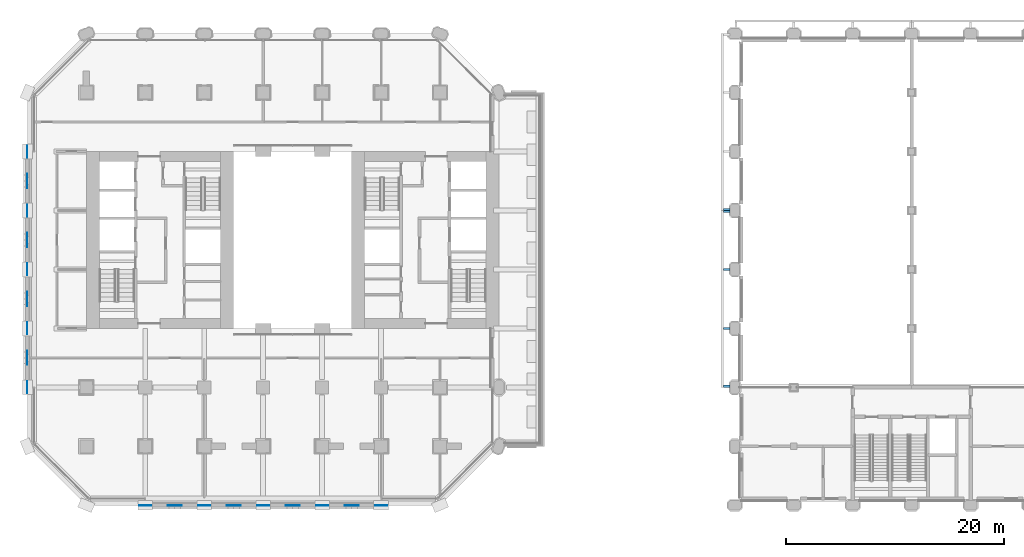
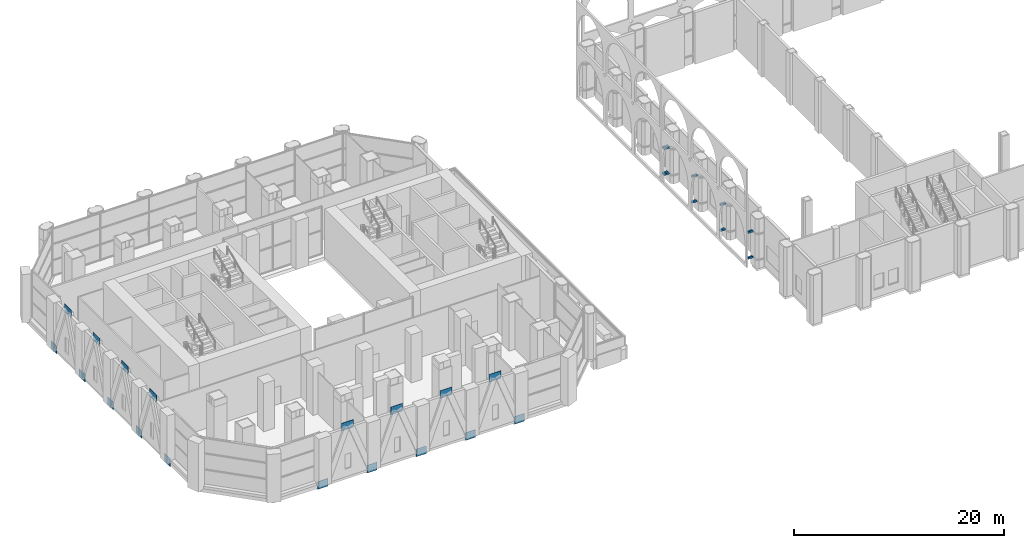
# One storey, part 19 of 34: 28 discrete accessories.
"""IFC4 building model written with IfcOpenShell, lengths in metres."""

from ifc_helpers import new_model, si_unit, direction, frame, origin, origin_2d, place, context, subcontext, project, spatial, rectangle, extrude, material, layer, layer_set, type_object, element, save


model = new_model("IFC4")

# Units and contexts
model_context = context("Model", 3, precision=1e-05, world=origin(), true_north=direction((0.0, 1.0)))
body_context = subcontext(model_context, "Body", "Model", "MODEL_VIEW")
ifc_project = project(units=[si_unit("LENGTHUNIT", "METRE"), si_unit("AREAUNIT", "SQUARE_METRE"), si_unit("VOLUMEUNIT", "CUBIC_METRE"), si_unit("PLANEANGLEUNIT", "RADIAN"), si_unit("MASSUNIT", "GRAM", prefix="KILO")], contexts=[model_context])

# Site, building, storey
site_placement = place(None, origin())
site = spatial("IfcSite", under=ifc_project, at=site_placement, CompositionType="ELEMENT")
building_placement = place(site_placement, origin())
building = spatial("IfcBuilding", under=site, at=building_placement, Name="Tabaq Tower and Sports Hall", CompositionType="ELEMENT")
storey_placement = place(building_placement, frame((0.0, 0.0, 8.39990234375)))
storey = spatial("IfcBuildingStorey", under=building, at=storey_placement, Name="L01", CompositionType="ELEMENT", Elevation=8.39990234375)

# Discrete accessories
ifc_material_1 = material(Name="Steel S355", Category="steel")
ifc_layer_1 = layer(ifc_material_1, 0.030029296875)
ifc_layer_set_1 = layer_set([ifc_layer_1], Name="TRANSFER BAND NODE PLATE 1100x900x30 S355")
discrete_accessory_type_1 = type_object("IfcDiscreteAccessoryType", Name="TRANSFER BAND NODE PLATE 1100x900x30 S355", PredefinedType="ANCHORPLATE", material=ifc_layer_set_1)
for number, where, z_axis, x_axis, name in (
    (1, (10.800048828125, -0.014892578125, -0.499755859375), (0.0, 0.0, 1.0), (1.0, 0.0, 0.0), "Transfer band node plate L01 South"),
    (2, (16.199951171875, -0.014892578125, -0.499755859375), (0.0, 0.0, 1.0), (1.0, 0.0, 0.0), "Transfer band node plate L01 South"),
    (3, (21.60009765625, -0.014892578125, -0.499755859375), (0.0, 0.0, 1.0), (1.0, 0.0, 0.0), "Transfer band node plate L01 South"),
    (4, (27.0, -0.014892578125, -0.499755859375), (0.0, 0.0, 1.0), (1.0, 0.0, 0.0), "Transfer band node plate L01 South"),
    (5, (32.39990234375, -0.014892578125, -0.499755859375), (0.0, 0.0, 1.0), (1.0, 0.0, 0.0), "Transfer band node plate L01 South"),
    (6, (-0.014892578125, 10.800048828125, -0.499755859375), (0.0, 0.0, 1.0), (0.0, -1.0, 0.0), "Transfer band node plate L01 West"),
    (7, (-0.014892578125, 16.199951171875, -0.499755859375), (0.0, 0.0, 1.0), (0.0, -1.0, 0.0), "Transfer band node plate L01 West"),
    (8, (-0.014892578125, 21.60009765625, -0.499755859375), (0.0, 0.0, 1.0), (0.0, -1.0, 0.0), "Transfer band node plate L01 West"),
    (9, (-0.014892578125, 27.0, -0.499755859375), (0.0, 0.0, 1.0), (0.0, -1.0, 0.0), "Transfer band node plate L01 West"),
    (10, (-0.014892578125, 32.39990234375, -0.499755859375), (0.0, 0.0, 1.0), (0.0, -1.0, 0.0), "Transfer band node plate L01 West"),
):
    element("IfcDiscreteAccessory", number, at=place(storey_placement, frame(where, z_axis=z_axis, x_axis=x_axis)), inside=storey, type_object=discrete_accessory_type_1, Name=name, PredefinedType="ANCHORPLATE", context=body_context, shape_type="SweptSolid", body=[
        extrude(rectangle(XDim=1.10009765625, YDim=0.030029296875, at=origin_2d()), origin(), (0.0, 0.0, 1.0), 0.89990234375),
    ])
ifc_material_2 = material(Name="Steel S355", Category="steel")
ifc_layer_2 = layer(ifc_material_2, 0.030029296875)
ifc_layer_set_2 = layer_set([ifc_layer_2], Name="TRANSFER BAND NODE PLATE 1300x900x30 S355")
discrete_accessory_type_2 = type_object("IfcDiscreteAccessoryType", Name="TRANSFER BAND NODE PLATE 1300x900x30 S355", PredefinedType="ANCHORPLATE", material=ifc_layer_set_2)
for number, where, z_axis, x_axis, name in (
    (11, (13.5, -0.014892578125, 5.35009765625), (0.0, 0.0, 1.0), (1.0, 0.0, 0.0), "Transfer band node plate L01 South"),
    (12, (18.89990234375, -0.014892578125, 5.35009765625), (0.0, 0.0, 1.0), (1.0, 0.0, 0.0), "Transfer band node plate L01 South"),
    (13, (24.300048828125, -0.014892578125, 5.35009765625), (0.0, 0.0, 1.0), (1.0, 0.0, 0.0), "Transfer band node plate L01 South"),
    (14, (29.699951171875, -0.014892578125, 5.35009765625), (0.0, 0.0, 1.0), (1.0, 0.0, 0.0), "Transfer band node plate L01 South"),
    (15, (-0.014892578125, 13.5, 5.35009765625), (0.0, 0.0, 1.0), (0.0, -1.0, 0.0), "Transfer band node plate L01 West"),
    (16, (-0.014892578125, 18.89990234375, 5.35009765625), (0.0, 0.0, 1.0), (0.0, -1.0, 0.0), "Transfer band node plate L01 West"),
    (17, (-0.014892578125, 24.300048828125, 5.35009765625), (0.0, 0.0, 1.0), (0.0, -1.0, 0.0), "Transfer band node plate L01 West"),
    (18, (-0.014892578125, 29.699951171875, 5.35009765625), (0.0, 0.0, 1.0), (0.0, -1.0, 0.0), "Transfer band node plate L01 West"),
):
    element("IfcDiscreteAccessory", number, at=place(storey_placement, frame(where, z_axis=z_axis, x_axis=x_axis)), inside=storey, type_object=discrete_accessory_type_2, Name=name, PredefinedType="ANCHORPLATE", context=body_context, shape_type="SweptSolid", body=[
        extrude(rectangle(XDim=1.300048828125, YDim=0.030029296875, at=origin_2d()), origin(), (0.0, 0.0, 1.0), 0.89990234375),
    ])
for number, where, z_axis, x_axis, name in (
    (19, (64.050048828125, 10.89990234375, 0.89990234375), (0.0, 0.0, 1.0), (0.0, 1.0, 0.0), "Stainless steel bracket"),
    (20, (64.050048828125, 10.89990234375, 3.89990234375), (0.0, 0.0, 1.0), (0.0, 1.0, 0.0), "Stainless steel bracket"),
    (21, (64.050048828125, 16.199951171875, 0.89990234375), (0.0, 0.0, 1.0), (0.0, 1.0, 0.0), "Stainless steel bracket"),
    (22, (64.050048828125, 16.199951171875, 3.89990234375), (0.0, 0.0, 1.0), (0.0, 1.0, 0.0), "Stainless steel bracket"),
    (23, (64.050048828125, 21.60009765625, 0.89990234375), (0.0, 0.0, 1.0), (0.0, 1.0, 0.0), "Stainless steel bracket"),
    (24, (64.050048828125, 21.60009765625, 3.89990234375), (0.0, 0.0, 1.0), (0.0, 1.0, 0.0), "Stainless steel bracket"),
    (25, (64.050048828125, 26.89990234375, 0.89990234375), (0.0, 0.0, 1.0), (0.0, 1.0, 0.0), "Stainless steel bracket"),
    (26, (64.050048828125, 26.89990234375, 3.89990234375), (0.0, 0.0, 1.0), (0.0, 1.0, 0.0), "Stainless steel bracket"),
    (27, (64.050048828125, 27.10009765625, 0.89990234375), (0.0, 0.0, 1.0), (0.0, 1.0, 0.0), "Stainless steel bracket"),
    (28, (64.050048828125, 27.10009765625, 3.89990234375), (0.0, 0.0, 1.0), (0.0, 1.0, 0.0), "Stainless steel bracket"),
):
    element("IfcDiscreteAccessory", number, at=place(storey_placement, frame(where, z_axis=z_axis, x_axis=x_axis)), inside=storey, Name=name, PredefinedType="BRACKET", context=body_context, shape_type="SweptSolid", body=[
        extrude(rectangle(XDim=0.199951171875, YDim=0.60009765625, at=origin_2d()), origin(), (0.0, 0.0, 1.0), 0.199951171875),
    ])

save(model, "model.ifc")
